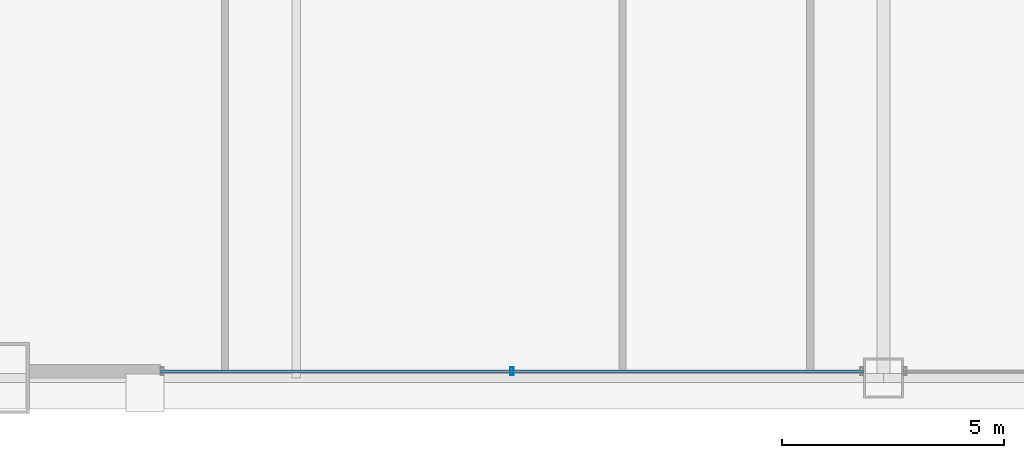
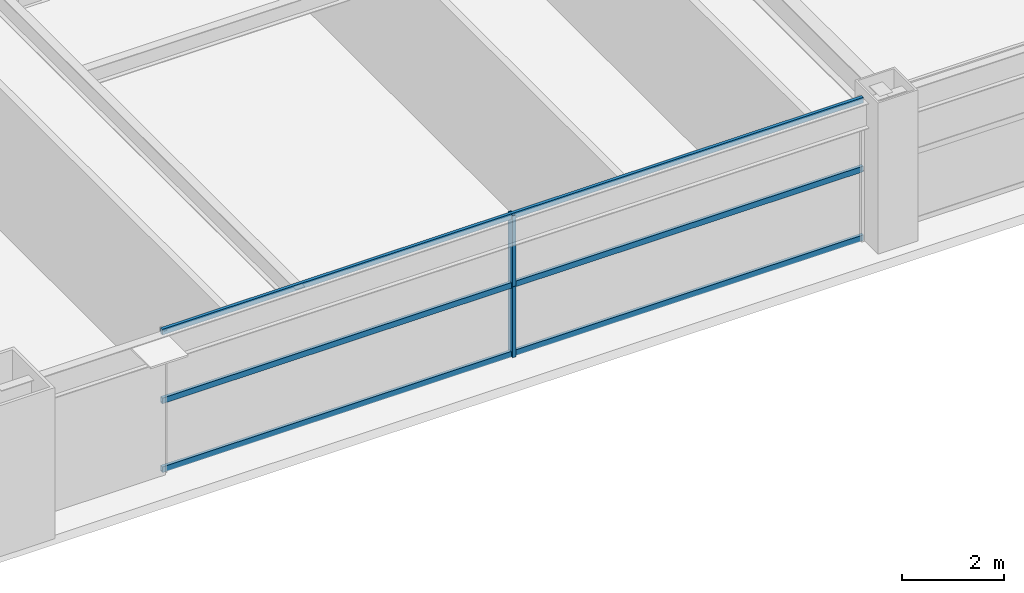
# One storey, part 6 of 39: 5 members, 1 element without a shape of its own.
"""IFC4 building model written with IfcOpenShell, lengths in metres."""

import ifcopenshell
import ifcopenshell.guid

model = None  # the IFC model being written
_history = None  # IfcOwnerHistory: only IFC2X3 demands one
_inside = {}  # id of a spatial element -> (the spatial element, [elements in it])
_under = {}  # id of a project, library or spatial element -> (it, [spatial elements below it])
_declared = {}  # id of a project -> (the project, [libraries it declares])
_typed = {}  # id of a type object -> (the type object, [elements of that type])
_made_of = {}  # id of a material, layer set ... -> (it, [elements and type objects made of it])


def new_model(schema):
    """Start an empty IFC model of exactly this schema.

    Asked for "IFC4X3", IfcOpenShell would pick the latest addendum, in which some entities
    have other attributes; the version numbers below select the first issue.
    IFC2X3 requires an IfcOwnerHistory on every rooted entity: one is made here for all.
    """
    global model, _history
    if schema == "IFC4X3":
        model = ifcopenshell.file(schema_version=(4, 3, 0, 0))
    else:
        model = ifcopenshell.file(schema=schema)
    _inside.clear()
    _under.clear()
    _declared.clear()
    _typed.clear()
    _made_of.clear()
    _history = None
    if model.schema == "IFC2X3":
        org = make("IfcOrganization", Name="unknown")
        user = make(
            "IfcPersonAndOrganization",
            ThePerson=make("IfcPerson", FamilyName="unknown"),
            TheOrganization=org,
        )
        app = make(
            "IfcApplication",
            ApplicationDeveloper=org,
            Version="unknown",
            ApplicationFullName="unknown",
            ApplicationIdentifier="unknown",
        )
        _history = make(
            "IfcOwnerHistory",
            OwningUser=user,
            OwningApplication=app,
            ChangeAction="ADDED",
            CreationDate=0,
        )
    return model


def make(cls, **values):
    """One entity of the class cls with the attributes given. An attribute that is None is left unset."""
    return model.create_entity(
        cls, **{name: value for name, value in values.items() if value is not None}
    )


def rooted(cls, **values):
    """An entity with a GlobalId (a new one), such as an element, a storey or a relation."""
    return make(cls, GlobalId=ifcopenshell.guid.new(), OwnerHistory=_history, **values)


def si_unit(unit_type, name, prefix=None):
    """IfcSIUnit, for example si_unit("LENGTHUNIT", "METRE", prefix="MILLI")."""
    return make("IfcSIUnit", UnitType=unit_type, Prefix=prefix, Name=name)


def assignment(units):
    """IfcUnitAssignment: the units of a project."""
    return None if units is None else make("IfcUnitAssignment", Units=units)


def point(xyz):
    """IfcCartesianPoint."""
    return None if xyz is None else make("IfcCartesianPoint", Coordinates=xyz)


def direction(xyz):
    """IfcDirection."""
    return None if xyz is None else make("IfcDirection", DirectionRatios=xyz)


def frame(location, z_axis=None, x_axis=None):
    """IfcAxis2Placement3D, a coordinate frame: its origin and axes. An axis left out is left unset."""
    return make(
        "IfcAxis2Placement3D",
        Location=point(location),
        Axis=direction(z_axis),
        RefDirection=direction(x_axis),
    )


def frame_2d(location, x_axis=None):
    """IfcAxis2Placement2D, a coordinate frame in the plane: its origin and x axis."""
    return make(
        "IfcAxis2Placement2D", Location=point(location), RefDirection=direction(x_axis)
    )


def origin():
    """The frame at (0, 0, 0) with its axes left unset."""
    return frame((0.0, 0.0, 0.0))


def origin_2d():
    """The frame at (0, 0) in the plane with its x axis left unset."""
    return frame_2d((0.0, 0.0))


def place(relative_to, where):
    """IfcLocalPlacement: puts the frame where relative to a parent placement (None: the world)."""
    return make(
        "IfcLocalPlacement", PlacementRelTo=relative_to, RelativePlacement=where
    )


def context(
    kind, dimensions, precision=None, world=None, true_north=None, identifier=None
):
    """IfcGeometricRepresentationContext, for example the 3D "Model" context."""
    return make(
        "IfcGeometricRepresentationContext",
        ContextIdentifier=identifier,
        ContextType=kind,
        CoordinateSpaceDimension=dimensions,
        Precision=precision,
        WorldCoordinateSystem=world,
        TrueNorth=true_north,
    )


def subcontext(parent, identifier, kind, view, scale=None):
    """IfcGeometricRepresentationSubContext, for example "Body" below "Model"."""
    return make(
        "IfcGeometricRepresentationSubContext",
        ContextIdentifier=identifier,
        ContextType=kind,
        ParentContext=parent,
        TargetScale=scale,
        TargetView=view,
    )


def project(units=None, contexts=None):
    """IfcProject with its units and contexts."""
    return rooted(
        "IfcProject",
        Name="project",
        RepresentationContexts=contexts,
        UnitsInContext=assignment(units),
    )


def spatial(cls, under=None, at=None, **own):
    """A site, building, storey or space (cls), placed at a placement, below another one or the project."""
    s = rooted(cls, ObjectPlacement=at, **own)
    if under is not None:
        _under.setdefault(under.id(), (under, []))[1].append(s)
    return s


def profile(cls, at=None, kind="AREA", **sizes):
    """A parametric profile (cls). Its sizes go by their IFC names, for example OverallWidth=200.0."""
    return make(cls, ProfileType=kind, Position=at, **sizes)


def hollow_rectangle(**sizes):
    """IfcRectangleHollowProfileDef."""
    return profile("IfcRectangleHollowProfileDef", **sizes)


def extrude(swept, where, along, depth):
    """IfcExtrudedAreaSolid: the profile swept, set in the frame where, extruded along a direction by depth."""
    return make(
        "IfcExtrudedAreaSolid",
        SweptArea=swept,
        Position=where,
        ExtrudedDirection=direction(along),
        Depth=depth,
    )


def shape(context_of_items, identifier, shape_type, items):
    """IfcShapeRepresentation: the items that make up one representation, for example the "Body"."""
    return make(
        "IfcShapeRepresentation",
        ContextOfItems=context_of_items,
        RepresentationIdentifier=identifier,
        RepresentationType=shape_type,
        Items=items,
    )


def source(mapping_origin, context_of_items, identifier, shape_type, items):
    """IfcRepresentationMap: a shape defined once, which mapped items show again and again."""
    return make(
        "IfcRepresentationMap",
        MappingOrigin=mapping_origin,
        MappedRepresentation=shape(context_of_items, identifier, shape_type, items),
    )


def transform(
    local_origin,
    x_axis=None,
    y_axis=None,
    z_axis=None,
    scale=None,
    scale2=None,
    scale3=None,
    uniform=True,
):
    """IfcCartesianTransformationOperator3D, or its non-uniform kind. x_axis, y_axis, z_axis: its Axis1, 2, 3."""
    if uniform:
        return make(
            "IfcCartesianTransformationOperator3D",
            Axis1=direction(x_axis),
            Axis2=direction(y_axis),
            LocalOrigin=point(local_origin),
            Scale=scale,
            Axis3=direction(z_axis),
        )
    return make(
        "IfcCartesianTransformationOperator3DnonUniform",
        Axis1=direction(x_axis),
        Axis2=direction(y_axis),
        LocalOrigin=point(local_origin),
        Scale=scale,
        Axis3=direction(z_axis),
        Scale2=scale2,
        Scale3=scale3,
    )


def mapped(mapping_source, mapping_target):
    """IfcMappedItem: shows the shape of a source again, moved by a transform."""
    return make(
        "IfcMappedItem", MappingSource=mapping_source, MappingTarget=mapping_target
    )


def material(Name=None, Category=None):
    """IfcMaterial."""
    return make("IfcMaterial", Name=Name, Category=Category)


def layer(
    of_material, thickness, ventilated=None, Name=None, Category=None, Priority=None
):
    """IfcMaterialLayer: one layer of a wall or slab, of a material (None: an air gap)."""
    return make(
        "IfcMaterialLayer",
        Material=of_material,
        LayerThickness=thickness,
        IsVentilated=ventilated,
        Name=Name,
        Category=Category,
        Priority=Priority,
    )


def layer_set(layers, Name=None):
    """IfcMaterialLayerSet."""
    return make("IfcMaterialLayerSet", MaterialLayers=layers, LayerSetName=Name)


def material_profile(
    of_material, cross_section, Name=None, Category=None, Priority=None
):
    """IfcMaterialProfile: a cross section and its material."""
    return make(
        "IfcMaterialProfile",
        Name=Name,
        Material=of_material,
        Profile=cross_section,
        Priority=Priority,
        Category=Category,
    )


def profile_set(profiles, Name=None, composite=None):
    """IfcMaterialProfileSet."""
    return make(
        "IfcMaterialProfileSet",
        Name=Name,
        MaterialProfiles=profiles,
        CompositeProfile=composite,
    )


def made_of(thing, what):
    """Note that an element or type object is made of a material, layer set ...; save() writes the relation."""
    if what is not None:
        _made_of.setdefault(what.id(), (what, []))[1].append(thing)
    return thing


def type_object(cls, material=None, **own):
    """A type object (cls), such as IfcWallType, which elements share."""
    return made_of(rooted(cls, **own), material)


def element(
    cls,
    number,
    at=None,
    inside=None,
    cuts=None,
    type_object=None,
    material=None,
    context=None,
    identifier="Body",
    shape_type=None,
    held_by="IfcProductDefinitionShape",
    body=None,
    shapes=None,
    **own,
):
    """One element of the class cls, such as IfcWall. Its Tag is "e" and its number.

    at: its placement. inside: the storey or other place that contains it. cuts: it is an
    opening in that element (IfcRelVoidsElement). A single representation is given by context,
    identifier, shape_type and body (its items); several are given by shapes. held_by: the class
    of the entity that holds the representations. save() writes the other relations.
    """
    e = rooted(cls, Tag="e%d" % number, ObjectPlacement=at, **own)
    if body is not None:
        shapes = [shape(context, identifier, shape_type, body)]
    if shapes is not None:
        e.Representation = make(held_by, Representations=shapes)
    if inside is not None:
        _inside.setdefault(inside.id(), (inside, []))[1].append(e)
    if cuts is not None:
        rooted(
            "IfcRelVoidsElement", RelatingBuildingElement=cuts, RelatedOpeningElement=e
        )
    if type_object is not None:
        _typed.setdefault(type_object.id(), (type_object, []))[1].append(e)
    return made_of(e, material)


def aggregate(whole, parts):
    """IfcRelAggregates: a whole, such as a stair, and the parts it consists of."""
    return rooted("IfcRelAggregates", RelatingObject=whole, RelatedObjects=parts)


def save(model, path):
    """Write the relations noted so far, then the file.

    IfcRelAggregates (storeys below a building ...), IfcRelContainedInSpatialStructure (elements
    in a storey), IfcRelDefinesByType, IfcRelAssociatesMaterial and IfcRelDeclares: one each for
    every whole, place, type object, material and project.
    """
    for whole, parts in _under.values():
        aggregate(whole, parts)
    for where, things in _inside.values():
        rooted(
            "IfcRelContainedInSpatialStructure",
            RelatedElements=things,
            RelatingStructure=where,
        )
    for kind, things in _typed.values():
        rooted("IfcRelDefinesByType", RelatedObjects=things, RelatingType=kind)
    for what, things in _made_of.values():
        rooted("IfcRelAssociatesMaterial", RelatedObjects=things, RelatingMaterial=what)
    for by, libraries in _declared.values():
        rooted("IfcRelDeclares", RelatingContext=by, RelatedDefinitions=libraries)
    model.write(path)


model = new_model("IFC4")

# Units and contexts
model_context = context("Model", 3, precision=1e-05, world=origin(), true_north=direction((0.0, 1.0)))
body_context = subcontext(model_context, "Body", "Model", "MODEL_VIEW")
ifc_project = project(units=[si_unit("LENGTHUNIT", "METRE"), si_unit("AREAUNIT", "SQUARE_METRE"), si_unit("VOLUMEUNIT", "CUBIC_METRE"), si_unit("PLANEANGLEUNIT", "RADIAN"), si_unit("MASSUNIT", "GRAM", prefix="KILO"), si_unit("THERMODYNAMICTEMPERATUREUNIT", "KELVIN"), si_unit("POWERUNIT", "WATT")], contexts=[model_context])

# Site, building, storey
site_placement = place(None, origin())
site = spatial("IfcSite", under=ifc_project, at=site_placement, CompositionType="ELEMENT")
building_placement = place(site_placement, origin())
building = spatial("IfcBuilding", under=site, at=building_placement, Name="Yuzanri Waterfront Tower", CompositionType="ELEMENT")
storey_placement = place(building_placement, frame((0.0, 0.0, 148.800048828125)))
storey = spatial("IfcBuildingStorey", under=building, at=storey_placement, Name="L39", CompositionType="ELEMENT", Elevation=148.800048828125)

# Curtain wall, members
ifc_material_1 = material(Name="Anodized Architectural Bronze", Category="metal")
ifc_layer = layer(ifc_material_1, 0.159912109375)
ifc_layer_set = layer_set([ifc_layer], Name="Anodized Architectural Bronze")
curtain_wall_type = type_object("IfcCurtainWallType", Name="Anodized Bronze Hotel Upper-Tier Solar-Control Unitized Curtain Wall 7800", PredefinedType="NOTDEFINED", material=ifc_layer_set)
curtain_wall_placement = place(storey_placement, origin())
curtain_wall = element("IfcCurtainWall", 1, at=curtain_wall_placement, inside=storey, type_object=curtain_wall_type, Name="L39 Curtain Wall CW-L39-SL", PredefinedType="NOTDEFINED")
ifc_material_2 = material(Name="Anodized Architectural Bronze", Category="metal")
ifc_material_profile_1 = material_profile(ifc_material_2, hollow_rectangle(XDim=0.070068359375, YDim=0.179931640625, WallThickness=0.00390625, at=origin_2d()), Name="CWM 70x180")
ifc_profile_set_1 = profile_set([ifc_material_profile_1], Name="Anodized Architectural Bronze")
member_type_1 = type_object("IfcMemberType", Name="Anodized Bronze Standard Curtain-Wall Mullion 70x180", PredefinedType="MULLION", material=ifc_profile_set_1)
shared_shape_1 = source(origin(), body_context, "Body", "SweptSolid", [
    extrude(hollow_rectangle(XDim=0.070068359375, YDim=0.179931640625, WallThickness=0.00390625, at=origin_2d()), origin(), (0.0, 0.0, 1.0), 1.68798828125),
])
member_1_placement = place(storey_placement, frame((28.64990234375, 2.35009765625, 0.0), z_axis=(0.0, 0.0, 1.0), x_axis=(1.0, 0.0, 0.0)))
member_1 = element("IfcMember", 2, at=member_1_placement, type_object=member_type_1, Name="CW-L39-SL Lower Mullion 01", PredefinedType="MULLION", context=body_context, shape_type="MappedRepresentation", body=[
    mapped(shared_shape_1, transform((0.0, 0.0, 0.0), scale=1.0)),
])
member_2_placement = place(storey_placement, frame((28.64990234375, 2.35009765625, 1.69189453125), z_axis=(0.0, 0.0, 1.0), x_axis=(1.0, 0.0, 0.0)))
member_2 = element("IfcMember", 3, at=member_2_placement, type_object=member_type_1, Name="CW-L39-SL Upper Mullion 01", PredefinedType="MULLION", context=body_context, shape_type="MappedRepresentation", body=[
    mapped(shared_shape_1, transform((0.0, 0.0, 0.0), scale=1.0)),
])
ifc_material_3 = material(Name="Anodized Architectural Bronze", Category="metal")
ifc_material_profile_2 = material_profile(ifc_material_3, hollow_rectangle(XDim=0.070068359375, YDim=0.135009765625, WallThickness=0.00341796875, at=origin_2d()), Name="CWT 70x135")
ifc_profile_set_2 = profile_set([ifc_material_profile_2], Name="Anodized Architectural Bronze")
member_type_2 = type_object("IfcMemberType", Name="Anodized Bronze Standard Curtain-Wall Transom 70x135", PredefinedType="USERDEFINED", material=ifc_profile_set_2)
shared_shape_2 = source(origin(), body_context, "Body", "SweptSolid", [
    extrude(hollow_rectangle(XDim=0.070068359375, YDim=0.135009765625, WallThickness=0.00341796875, at=origin_2d()), origin(), (0.0, 0.0, 1.0), 15.800048828125),
])
member_3_placement = place(storey_placement, frame((20.75, 2.35009765625, 0.050048828125), z_axis=(1.0, 0.0, 0.0), x_axis=(0.0, 1.0, 0.0)))
member_3 = element("IfcMember", 4, at=member_3_placement, type_object=member_type_2, Name="CW-L39-SL Transom 1", ObjectType="TRANSOM", PredefinedType="USERDEFINED", context=body_context, shape_type="MappedRepresentation", body=[
    mapped(shared_shape_2, transform((0.0, 0.0, 0.0), scale=1.0)),
])
member_4_placement = place(storey_placement, frame((20.75, 2.35009765625, 1.68994140625), z_axis=(1.0, 0.0, 0.0), x_axis=(0.0, 1.0, 0.0)))
member_4 = element("IfcMember", 5, at=member_4_placement, type_object=member_type_2, Name="CW-L39-SL Transom 2", ObjectType="TRANSOM", PredefinedType="USERDEFINED", context=body_context, shape_type="MappedRepresentation", body=[
    mapped(shared_shape_2, transform((0.0, 0.0, 0.0), scale=1.0)),
])
member_5_placement = place(storey_placement, frame((20.75, 2.35009765625, 3.329833984375), z_axis=(1.0, 0.0, 0.0), x_axis=(0.0, 1.0, 0.0)))
member_5 = element("IfcMember", 6, at=member_5_placement, type_object=member_type_2, Name="CW-L39-SL Transom 3", ObjectType="TRANSOM", PredefinedType="USERDEFINED", context=body_context, shape_type="MappedRepresentation", body=[
    mapped(shared_shape_2, transform((0.0, 0.0, 0.0), scale=1.0)),
])
aggregate(curtain_wall, [member_1, member_2, member_3, member_4, member_5])

save(model, "model.ifc")
